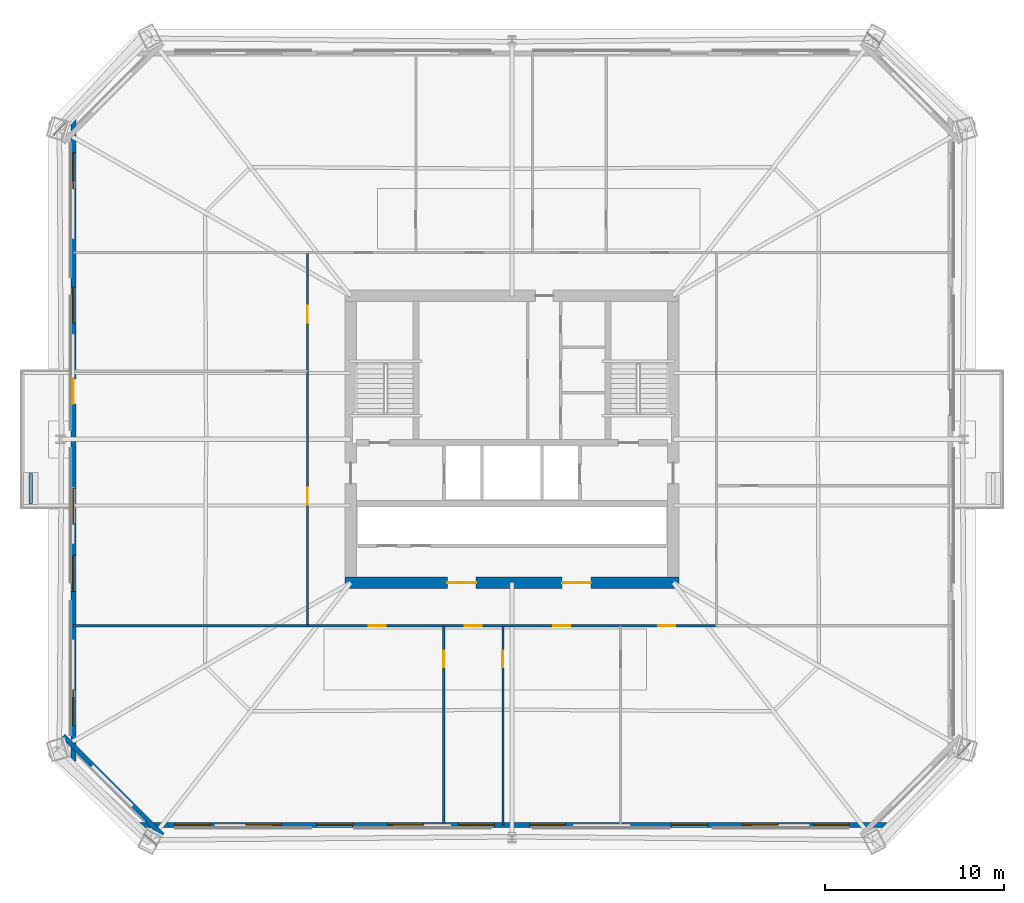
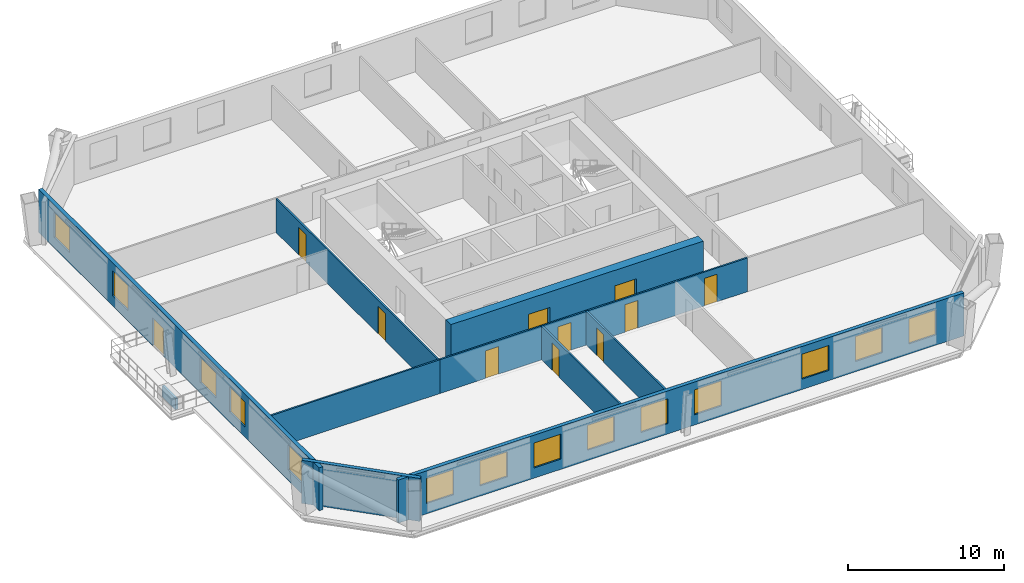
# One storey, part 5 of 11: 14 windows, 11 doors, 10 walls, 25 openings.
"""IFC4 building model written with IfcOpenShell, lengths in metres."""

from ifc_helpers import new_model, si_unit, direction, frame, frame_2d, origin, place, context, subcontext, project, spatial, rectangle, extrude, material, layer, layer_set, type_object, element, fill, save


model = new_model("IFC4")

# Units and contexts
model_context = context("Model", 3, precision=1e-05, world=origin(), true_north=direction((0.0, 1.0)))
body_context = subcontext(model_context, "Body", "Model", "MODEL_VIEW")
ifc_project = project(units=[si_unit("LENGTHUNIT", "METRE"), si_unit("AREAUNIT", "SQUARE_METRE"), si_unit("VOLUMEUNIT", "CUBIC_METRE"), si_unit("PLANEANGLEUNIT", "RADIAN"), si_unit("MASSUNIT", "GRAM", prefix="KILO")], contexts=[model_context])

# Site, building, storey
site_placement = place(None, origin())
site = spatial("IfcSite", under=ifc_project, at=site_placement, CompositionType="ELEMENT")
building_placement = place(site_placement, origin())
building = spatial("IfcBuilding", under=site, at=building_placement, Name="Caelvoria Tower", CompositionType="ELEMENT")
storey_placement = place(building_placement, frame((0.0, 0.0, 67.60009765625)))
storey = spatial("IfcBuildingStorey", under=building, at=storey_placement, Name="L17", CompositionType="ELEMENT", Elevation=67.60009765625)

# Wall
ifc_material_1 = material(Name="Bronze-Clad Concrete C40/50", Category="concrete")
ifc_layer_1 = layer(ifc_material_1, 0.179931640625, Name="Bronze-Clad Concrete C40/50")
ifc_layer_set_1 = layer_set([ifc_layer_1], Name="Architectural Planter Kerb Wall 180 - Bronze-Clad Concrete C40/50")
wall_type_1 = type_object("IfcWallType", Name="Architectural Planter Kerb Wall 180", PredefinedType="PARAPET", material=ifc_layer_set_1)
wall_1_placement = place(storey_placement, frame((19.14990234375, 28.39990234375, 0.0), z_axis=(0.0, 0.0, 1.0), x_axis=(0.0, 1.0, 0.0)))
element("IfcWall", 1, at=wall_1_placement, inside=storey, type_object=wall_type_1, Name="Tree Balcony Planter Kerb PLANTER TB-L17-W", PredefinedType="PARAPET", context=body_context, shape_type="SweptSolid", body=[
    extrude(rectangle(XDim=1.7001953125, YDim=0.179931640625, at=frame_2d((0.85009765625, 0.0))), origin(), (0.0, 0.0, 1.0), 0.8798828125),
])

# Wall, openings, windows
ifc_material_2 = material(Name="Precast Concrete C40/50 with Bronze Cladding", Category="concrete")
ifc_layer_2 = layer(ifc_material_2, 0.280029296875, Name="Precast Concrete C40/50 with Bronze Cladding")
ifc_layer_set_2 = layer_set([ifc_layer_2], Name="Exterior Precast Concrete C40/50 Bronze-Clad Facade Wall 280 - Precast Concrete C40/50 with Bronze Cladding")
wall_type_2 = type_object("IfcWallType", Name="Exterior Precast Concrete C40/50 Bronze-Clad Facade Wall 280", PredefinedType="STANDARD", material=ifc_layer_set_2)
wall_2_placement = place(storey_placement, frame((25.110107421875, 10.47998046875, 0.0), z_axis=(0.0, 0.0, 1.0), x_axis=(1.0, 0.0, 0.0)))
wall_2 = element("IfcWall", 2, at=wall_2_placement, inside=storey, type_object=wall_type_2, Name="Exterior Facade Wall L17-E0", PredefinedType="STANDARD", context=body_context, shape_type="SweptSolid", body=[
    extrude(rectangle(XDim=41.77978515625, YDim=0.280029296875, at=frame_2d((20.889892578125, 0.0))), origin(), (0.0, 0.0, 1.0), 3.35986328125),
])
opening_1_placement = place(wall_2_placement, frame((2.0791015625, 0.0, 0.800048828125)))
opening_1 = element("IfcOpeningElement", 3, at=opening_1_placement, cuts=wall_2, Name="Opening WN-01", PredefinedType="OPENING", context=body_context, shape_type="SweptSolid", body=[
    extrude(rectangle(XDim=2.0, YDim=1.949951171875, at=frame_2d((1.0, 0.97509765625))), frame((0.0, 0.14990234375, 0.0), z_axis=(0.0, -1.0, 0.0), x_axis=(1.0, 0.0, 0.0)), (0.0, 0.0, 1.0), 0.300048828125),
])
opening_2_placement = place(wall_2_placement, frame((6.037109375, 0.0, 0.800048828125)))
opening_2 = element("IfcOpeningElement", 4, at=opening_2_placement, cuts=wall_2, Name="Opening WN-01", PredefinedType="OPENING", context=body_context, shape_type="SweptSolid", body=[
    extrude(rectangle(XDim=2.0, YDim=1.949951171875, at=frame_2d((1.0, 0.97509765625))), frame((0.0, 0.14990234375, 0.0), z_axis=(0.0, -1.0, 0.0), x_axis=(1.0, 0.0, 0.0)), (0.0, 0.0, 1.0), 0.300048828125),
])
opening_3_placement = place(wall_2_placement, frame((9.9951171875, 0.0, 0.800048828125)))
opening_3 = element("IfcOpeningElement", 5, at=opening_3_placement, cuts=wall_2, Name="Opening WN-01", PredefinedType="OPENING", context=body_context, shape_type="SweptSolid", body=[
    extrude(rectangle(XDim=2.0, YDim=1.949951171875, at=frame_2d((1.0, 0.97509765625))), frame((0.0, 0.14990234375, 0.0), z_axis=(0.0, -1.0, 0.0), x_axis=(1.0, 0.0, 0.0)), (0.0, 0.0, 1.0), 0.300048828125),
])
opening_4_placement = place(wall_2_placement, frame((13.952880859375, 0.0, 0.800048828125)))
opening_4 = element("IfcOpeningElement", 6, at=opening_4_placement, cuts=wall_2, Name="Opening WN-01", PredefinedType="OPENING", context=body_context, shape_type="SweptSolid", body=[
    extrude(rectangle(XDim=2.0, YDim=1.949951171875, at=frame_2d((1.0, 0.97509765625))), frame((0.0, 0.14990234375, 0.0), z_axis=(0.0, -1.0, 0.0), x_axis=(1.0, 0.0, 0.0)), (0.0, 0.0, 1.0), 0.300048828125),
])
opening_5_placement = place(wall_2_placement, frame((17.910888671875, 0.0, 0.800048828125)))
opening_5 = element("IfcOpeningElement", 7, at=opening_5_placement, cuts=wall_2, Name="Opening WN-01", PredefinedType="OPENING", context=body_context, shape_type="SweptSolid", body=[
    extrude(rectangle(XDim=2.0, YDim=1.949951171875, at=frame_2d((1.0, 0.97509765625))), frame((0.0, 0.14990234375, 0.0), z_axis=(0.0, -1.0, 0.0), x_axis=(1.0, 0.0, 0.0)), (0.0, 0.0, 1.0), 0.300048828125),
])
opening_6_placement = place(wall_2_placement, frame((21.868896484375, 0.0, 0.800048828125)))
opening_6 = element("IfcOpeningElement", 8, at=opening_6_placement, cuts=wall_2, Name="Opening WN-01", PredefinedType="OPENING", context=body_context, shape_type="SweptSolid", body=[
    extrude(rectangle(XDim=2.0, YDim=1.949951171875, at=frame_2d((1.0, 0.97509765625))), frame((0.0, 0.14990234375, 0.0), z_axis=(0.0, -1.0, 0.0), x_axis=(1.0, 0.0, 0.0)), (0.0, 0.0, 1.0), 0.300048828125),
])
opening_7_placement = place(wall_2_placement, frame((29.784912109375, 0.0, 0.800048828125)))
opening_7 = element("IfcOpeningElement", 9, at=opening_7_placement, cuts=wall_2, Name="Opening WN-01", PredefinedType="OPENING", context=body_context, shape_type="SweptSolid", body=[
    extrude(rectangle(XDim=2.0, YDim=1.949951171875, at=frame_2d((1.0, 0.97509765625))), frame((0.0, 0.14990234375, 0.0), z_axis=(0.0, -1.0, 0.0), x_axis=(1.0, 0.0, 0.0)), (0.0, 0.0, 1.0), 0.300048828125),
])
opening_8_placement = place(wall_2_placement, frame((33.742919921875, 0.0, 0.800048828125)))
opening_8 = element("IfcOpeningElement", 10, at=opening_8_placement, cuts=wall_2, Name="Opening WN-01", PredefinedType="OPENING", context=body_context, shape_type="SweptSolid", body=[
    extrude(rectangle(XDim=2.0, YDim=1.949951171875, at=frame_2d((1.0, 0.97509765625))), frame((0.0, 0.14990234375, 0.0), z_axis=(0.0, -1.0, 0.0), x_axis=(1.0, 0.0, 0.0)), (0.0, 0.0, 1.0), 0.300048828125),
])
opening_9_placement = place(wall_2_placement, frame((37.700927734375, 0.0, 0.800048828125)))
opening_9 = element("IfcOpeningElement", 11, at=opening_9_placement, cuts=wall_2, Name="Opening WN-01", PredefinedType="OPENING", context=body_context, shape_type="SweptSolid", body=[
    extrude(rectangle(XDim=2.0, YDim=1.949951171875, at=frame_2d((1.0, 0.97509765625))), frame((0.0, 0.14990234375, 0.0), z_axis=(0.0, -1.0, 0.0), x_axis=(1.0, 0.0, 0.0)), (0.0, 0.0, 1.0), 0.300048828125),
])
ifc_material_3 = material(Name="Low-E Tinted Glass in Bronze Aluminium Frame", Category="aluminium")
window_type = type_object("IfcWindowType", Name="Tower Office Vision Window 2000x1950", PartitioningType="SINGLE_PANEL", PredefinedType="WINDOW", material=ifc_material_3)
window_1_placement = place(opening_1_placement, origin())
window_1 = element("IfcWindow", 12, at=window_1_placement, inside=storey, type_object=window_type, Name="Facade Window L17-E0-00", OverallHeight=1.949951171875, OverallWidth=2.0, PartitioningType="SINGLE_PANEL", PredefinedType="WINDOW", context=body_context, shape_type="SweptSolid", body=[
    extrude(rectangle(XDim=2.0, YDim=1.949951171875, at=frame_2d((1.0, 0.97509765625))), frame((0.0, 0.030029296875, 0.0), z_axis=(0.0, -1.0, 0.0), x_axis=(1.0, 0.0, 0.0)), (0.0, 0.0, 1.0), 0.06005859375),
])
fill(opening_1, window_1)
window_2_placement = place(opening_2_placement, origin())
window_2 = element("IfcWindow", 13, at=window_2_placement, inside=storey, type_object=window_type, Name="Facade Window L17-E0-01", OverallHeight=1.949951171875, OverallWidth=2.0, PartitioningType="SINGLE_PANEL", PredefinedType="WINDOW", context=body_context, shape_type="SweptSolid", body=[
    extrude(rectangle(XDim=2.0, YDim=1.949951171875, at=frame_2d((1.0, 0.97509765625))), frame((0.0, 0.030029296875, 0.0), z_axis=(0.0, -1.0, 0.0), x_axis=(1.0, 0.0, 0.0)), (0.0, 0.0, 1.0), 0.06005859375),
])
fill(opening_2, window_2)
window_3_placement = place(opening_3_placement, origin())
window_3 = element("IfcWindow", 14, at=window_3_placement, inside=storey, type_object=window_type, Name="Facade Window L17-E0-02", OverallHeight=1.949951171875, OverallWidth=2.0, PartitioningType="SINGLE_PANEL", PredefinedType="WINDOW", context=body_context, shape_type="SweptSolid", body=[
    extrude(rectangle(XDim=2.0, YDim=1.949951171875, at=frame_2d((1.0, 0.97509765625))), frame((0.0, 0.030029296875, 0.0), z_axis=(0.0, -1.0, 0.0), x_axis=(1.0, 0.0, 0.0)), (0.0, 0.0, 1.0), 0.06005859375),
])
fill(opening_3, window_3)
window_4_placement = place(opening_4_placement, origin())
window_4 = element("IfcWindow", 15, at=window_4_placement, inside=storey, type_object=window_type, Name="Facade Window L17-E0-03", OverallHeight=1.949951171875, OverallWidth=2.0, PartitioningType="SINGLE_PANEL", PredefinedType="WINDOW", context=body_context, shape_type="SweptSolid", body=[
    extrude(rectangle(XDim=2.0, YDim=1.949951171875, at=frame_2d((1.0, 0.97509765625))), frame((0.0, 0.030029296875, 0.0), z_axis=(0.0, -1.0, 0.0), x_axis=(1.0, 0.0, 0.0)), (0.0, 0.0, 1.0), 0.06005859375),
])
fill(opening_4, window_4)
window_5_placement = place(opening_5_placement, origin())
window_5 = element("IfcWindow", 16, at=window_5_placement, inside=storey, type_object=window_type, Name="Facade Window L17-E0-04", OverallHeight=1.949951171875, OverallWidth=2.0, PartitioningType="SINGLE_PANEL", PredefinedType="WINDOW", context=body_context, shape_type="SweptSolid", body=[
    extrude(rectangle(XDim=2.0, YDim=1.949951171875, at=frame_2d((1.0, 0.97509765625))), frame((0.0, 0.030029296875, 0.0), z_axis=(0.0, -1.0, 0.0), x_axis=(1.0, 0.0, 0.0)), (0.0, 0.0, 1.0), 0.06005859375),
])
fill(opening_5, window_5)
window_6_placement = place(opening_6_placement, origin())
window_6 = element("IfcWindow", 17, at=window_6_placement, inside=storey, type_object=window_type, Name="Facade Window L17-E0-05", OverallHeight=1.949951171875, OverallWidth=2.0, PartitioningType="SINGLE_PANEL", PredefinedType="WINDOW", context=body_context, shape_type="SweptSolid", body=[
    extrude(rectangle(XDim=2.0, YDim=1.949951171875, at=frame_2d((1.0, 0.97509765625))), frame((0.0, 0.030029296875, 0.0), z_axis=(0.0, -1.0, 0.0), x_axis=(1.0, 0.0, 0.0)), (0.0, 0.0, 1.0), 0.06005859375),
])
fill(opening_6, window_6)
window_7_placement = place(opening_7_placement, origin())
window_7 = element("IfcWindow", 18, at=window_7_placement, inside=storey, type_object=window_type, Name="Facade Window L17-E0-07", OverallHeight=1.949951171875, OverallWidth=2.0, PartitioningType="SINGLE_PANEL", PredefinedType="WINDOW", context=body_context, shape_type="SweptSolid", body=[
    extrude(rectangle(XDim=2.0, YDim=1.949951171875, at=frame_2d((1.0, 0.97509765625))), frame((0.0, 0.030029296875, 0.0), z_axis=(0.0, -1.0, 0.0), x_axis=(1.0, 0.0, 0.0)), (0.0, 0.0, 1.0), 0.06005859375),
])
fill(opening_7, window_7)
window_8_placement = place(opening_8_placement, origin())
window_8 = element("IfcWindow", 19, at=window_8_placement, inside=storey, type_object=window_type, Name="Facade Window L17-E0-08", OverallHeight=1.949951171875, OverallWidth=2.0, PartitioningType="SINGLE_PANEL", PredefinedType="WINDOW", context=body_context, shape_type="SweptSolid", body=[
    extrude(rectangle(XDim=2.0, YDim=1.949951171875, at=frame_2d((1.0, 0.97509765625))), frame((0.0, 0.030029296875, 0.0), z_axis=(0.0, -1.0, 0.0), x_axis=(1.0, 0.0, 0.0)), (0.0, 0.0, 1.0), 0.06005859375),
])
fill(opening_8, window_8)
window_9_placement = place(opening_9_placement, origin())
window_9 = element("IfcWindow", 20, at=window_9_placement, inside=storey, type_object=window_type, Name="Facade Window L17-E0-09", OverallHeight=1.949951171875, OverallWidth=2.0, PartitioningType="SINGLE_PANEL", PredefinedType="WINDOW", context=body_context, shape_type="SweptSolid", body=[
    extrude(rectangle(XDim=2.0, YDim=1.949951171875, at=frame_2d((1.0, 0.97509765625))), frame((0.0, 0.030029296875, 0.0), z_axis=(0.0, -1.0, 0.0), x_axis=(1.0, 0.0, 0.0)), (0.0, 0.0, 1.0), 0.06005859375),
])
fill(opening_9, window_9)

# Wall, openings, windows, door
wall_3_placement = place(storey_placement, frame((21.530029296875, 49.93994140625, 0.0), z_axis=(0.0, 0.0, 1.0), x_axis=(0.0, -1.0, 0.0)))
wall_3 = element("IfcWall", 21, at=wall_3_placement, inside=storey, type_object=wall_type_2, Name="Exterior Facade Wall L17-E6", PredefinedType="STANDARD", context=body_context, shape_type="SweptSolid", body=[
    extrude(rectangle(XDim=35.8798828125, YDim=0.280029296875, at=frame_2d((17.93994140625, 0.0))), origin(), (0.0, 0.0, 1.0), 3.35986328125),
])
opening_10_placement = place(wall_3_placement, frame((14.570068359375, 0.0, 0.0)))
opening_10 = element("IfcOpeningElement", 22, at=opening_10_placement, cuts=wall_3, Name="Opening ED-04", PredefinedType="OPENING", context=body_context, shape_type="SweptSolid", body=[
    extrude(rectangle(XDim=1.39990234375, YDim=2.14990234375, at=frame_2d((0.699951171875, 1.074951171875))), frame((0.0, 0.14990234375, 0.0), z_axis=(0.0, -1.0, 0.0), x_axis=(1.0, 0.0, 0.0)), (0.0, 0.0, 1.0), 0.300048828125),
])
opening_11_placement = place(wall_3_placement, frame((1.97119140625, 0.0, 0.800048828125)))
opening_11 = element("IfcOpeningElement", 23, at=opening_11_placement, cuts=wall_3, Name="Opening WN-01", PredefinedType="OPENING", context=body_context, shape_type="SweptSolid", body=[
    extrude(rectangle(XDim=2.0, YDim=1.949951171875, at=frame_2d((1.0, 0.97509765625))), frame((0.0, 0.14990234375, 0.0), z_axis=(0.0, -1.0, 0.0), x_axis=(1.0, 0.0, 0.0)), (0.0, 0.0, 1.0), 0.300048828125),
])
opening_12_placement = place(wall_3_placement, frame((9.45556640625, 0.0, 0.800048828125)))
opening_12 = element("IfcOpeningElement", 24, at=opening_12_placement, cuts=wall_3, Name="Opening WN-01", PredefinedType="OPENING", context=body_context, shape_type="SweptSolid", body=[
    extrude(rectangle(XDim=2.0, YDim=1.949951171875, at=frame_2d((1.0, 0.97509765625))), frame((0.0, 0.14990234375, 0.0), z_axis=(0.0, -1.0, 0.0), x_axis=(1.0, 0.0, 0.0)), (0.0, 0.0, 1.0), 0.300048828125),
])
opening_13_placement = place(wall_3_placement, frame((20.68212890625, 0.0, 0.800048828125)))
opening_13 = element("IfcOpeningElement", 25, at=opening_13_placement, cuts=wall_3, Name="Opening WN-01", PredefinedType="OPENING", context=body_context, shape_type="SweptSolid", body=[
    extrude(rectangle(XDim=2.0, YDim=1.949951171875, at=frame_2d((1.0, 0.97509765625))), frame((0.0, 0.14990234375, 0.0), z_axis=(0.0, -1.0, 0.0), x_axis=(1.0, 0.0, 0.0)), (0.0, 0.0, 1.0), 0.300048828125),
])
opening_14_placement = place(wall_3_placement, frame((24.42431640625, 0.0, 0.800048828125)))
opening_14 = element("IfcOpeningElement", 26, at=opening_14_placement, cuts=wall_3, Name="Opening WN-01", PredefinedType="OPENING", context=body_context, shape_type="SweptSolid", body=[
    extrude(rectangle(XDim=2.0, YDim=1.949951171875, at=frame_2d((1.0, 0.97509765625))), frame((0.0, 0.14990234375, 0.0), z_axis=(0.0, -1.0, 0.0), x_axis=(1.0, 0.0, 0.0)), (0.0, 0.0, 1.0), 0.300048828125),
])
opening_15_placement = place(wall_3_placement, frame((31.908935546875, 0.0, 0.800048828125)))
opening_15 = element("IfcOpeningElement", 27, at=opening_15_placement, cuts=wall_3, Name="Opening WN-01", PredefinedType="OPENING", context=body_context, shape_type="SweptSolid", body=[
    extrude(rectangle(XDim=2.0, YDim=1.949951171875, at=frame_2d((1.0, 0.97509765625))), frame((0.0, 0.14990234375, 0.0), z_axis=(0.0, -1.0, 0.0), x_axis=(1.0, 0.0, 0.0)), (0.0, 0.0, 1.0), 0.300048828125),
])
window_10_placement = place(opening_11_placement, origin())
window_10 = element("IfcWindow", 28, at=window_10_placement, inside=storey, type_object=window_type, Name="Facade Window L17-E6-00", OverallHeight=1.949951171875, OverallWidth=2.0, PartitioningType="SINGLE_PANEL", PredefinedType="WINDOW", context=body_context, shape_type="SweptSolid", body=[
    extrude(rectangle(XDim=2.0, YDim=1.949951171875, at=frame_2d((1.0, 0.97509765625))), frame((0.0, 0.030029296875, 0.0), z_axis=(0.0, -1.0, 0.0), x_axis=(1.0, 0.0, 0.0)), (0.0, 0.0, 1.0), 0.06005859375),
])
fill(opening_11, window_10)
window_11_placement = place(opening_12_placement, origin())
window_11 = element("IfcWindow", 29, at=window_11_placement, inside=storey, type_object=window_type, Name="Facade Window L17-E6-02", OverallHeight=1.949951171875, OverallWidth=2.0, PartitioningType="SINGLE_PANEL", PredefinedType="WINDOW", context=body_context, shape_type="SweptSolid", body=[
    extrude(rectangle(XDim=2.0, YDim=1.949951171875, at=frame_2d((1.0, 0.97509765625))), frame((0.0, 0.030029296875, 0.0), z_axis=(0.0, -1.0, 0.0), x_axis=(1.0, 0.0, 0.0)), (0.0, 0.0, 1.0), 0.06005859375),
])
fill(opening_12, window_11)
window_12_placement = place(opening_13_placement, origin())
window_12 = element("IfcWindow", 30, at=window_12_placement, inside=storey, type_object=window_type, Name="Facade Window L17-E6-05", OverallHeight=1.949951171875, OverallWidth=2.0, PartitioningType="SINGLE_PANEL", PredefinedType="WINDOW", context=body_context, shape_type="SweptSolid", body=[
    extrude(rectangle(XDim=2.0, YDim=1.949951171875, at=frame_2d((1.0, 0.97509765625))), frame((0.0, 0.030029296875, 0.0), z_axis=(0.0, -1.0, 0.0), x_axis=(1.0, 0.0, 0.0)), (0.0, 0.0, 1.0), 0.06005859375),
])
fill(opening_13, window_12)
window_13_placement = place(opening_14_placement, origin())
window_13 = element("IfcWindow", 31, at=window_13_placement, inside=storey, type_object=window_type, Name="Facade Window L17-E6-06", OverallHeight=1.949951171875, OverallWidth=2.0, PartitioningType="SINGLE_PANEL", PredefinedType="WINDOW", context=body_context, shape_type="SweptSolid", body=[
    extrude(rectangle(XDim=2.0, YDim=1.949951171875, at=frame_2d((1.0, 0.97509765625))), frame((0.0, 0.030029296875, 0.0), z_axis=(0.0, -1.0, 0.0), x_axis=(1.0, 0.0, 0.0)), (0.0, 0.0, 1.0), 0.06005859375),
])
fill(opening_14, window_13)
window_14_placement = place(opening_15_placement, origin())
window_14 = element("IfcWindow", 32, at=window_14_placement, inside=storey, type_object=window_type, Name="Facade Window L17-E6-08", OverallHeight=1.949951171875, OverallWidth=2.0, PartitioningType="SINGLE_PANEL", PredefinedType="WINDOW", context=body_context, shape_type="SweptSolid", body=[
    extrude(rectangle(XDim=2.0, YDim=1.949951171875, at=frame_2d((1.0, 0.97509765625))), frame((0.0, 0.030029296875, 0.0), z_axis=(0.0, -1.0, 0.0), x_axis=(1.0, 0.0, 0.0)), (0.0, 0.0, 1.0), 0.06005859375),
])
fill(opening_15, window_14)
ifc_material_4 = material(Name="Anodised Bronze Aluminium and Laminated Glass", Category="aluminium")
door_type_1 = type_object("IfcDoorType", Name="Tree Balcony Glazed Door 1400x2150", OperationType="NOTDEFINED", PredefinedType="DOOR", material=ifc_material_4)
door_1_placement = place(opening_10_placement, origin())
door_1 = element("IfcDoor", 33, at=door_1_placement, inside=storey, type_object=door_type_1, Name="Tree Balcony Door L17-W", OperationType="SINGLE_SWING_LEFT", OverallHeight=2.14990234375, OverallWidth=1.39990234375, PredefinedType="DOOR", context=body_context, shape_type="SweptSolid", body=[
    extrude(rectangle(XDim=1.39990234375, YDim=2.14990234375, at=frame_2d((0.699951171875, 1.074951171875))), frame((0.0, 0.02490234375, 0.0), z_axis=(0.0, -1.0, 0.0), x_axis=(1.0, 0.0, 0.0)), (0.0, 0.0, 1.0), 0.050048828125),
])
fill(opening_10, door_1)

# Wall
wall_4_placement = place(storey_placement, frame((20.9560546875, 15.445556640625, 0.0), z_axis=(0.0, 0.0, 1.0), x_axis=(0.707106781187, -0.707106781187, 0.0)))
element("IfcWall", 34, at=wall_4_placement, inside=storey, type_object=wall_type_2, Name="Exterior Facade Wall L17-E7", PredefinedType="STANDARD", context=body_context, shape_type="SweptSolid", body=[
    extrude(rectangle(XDim=7.834228515625, YDim=0.280029296875, at=frame_2d((3.9169921875, 0.0))), origin(), (0.0, 0.0, 1.0), 3.35986328125),
])

# Wall, openings, doors
ifc_material_5 = material(Name="Concrete C60/75", Category="concrete")
ifc_layer_3 = layer(ifc_material_5, 0.64990234375, Name="Concrete C60/75")
ifc_layer_set_3 = layer_set([ifc_layer_3], Name="Lower Core Shear Wall 650 - Concrete C60/75")
wall_type_3 = type_object("IfcWallType", Name="Lower Core Shear Wall 650", PredefinedType="SHEAR", material=ifc_layer_set_3)
wall_5_placement = place(storey_placement, frame((36.675048828125, 24.0, 0.0), z_axis=(0.0, 0.0, 1.0), x_axis=(1.0, 0.0, 0.0)))
wall_5 = element("IfcWall", 35, at=wall_5_placement, inside=storey, type_object=wall_type_3, Name="Core Shear Wall L17 S", PredefinedType="SHEAR", context=body_context, shape_type="SweptSolid", body=[
    extrude(rectangle(XDim=18.64990234375, YDim=0.64990234375, at=frame_2d((9.324951171875, 0.0))), origin(), (0.0, 0.0, 1.0), 3.35986328125),
])
opening_16_placement = place(wall_5_placement, frame((5.72509765625, 0.0, 0.0)))
opening_16 = element("IfcOpeningElement", 36, at=opening_16_placement, cuts=wall_5, Name="Opening ID-08", PredefinedType="OPENING", context=body_context, shape_type="SweptSolid", body=[
    extrude(rectangle(XDim=1.60009765625, YDim=2.14990234375, at=frame_2d((0.800048828125, 1.074951171875))), frame((0.0, 0.3349609375, 0.0), z_axis=(0.0, -1.0, 0.0), x_axis=(1.0, 0.0, 0.0)), (0.0, 0.0, 1.0), 0.669921875),
])
opening_17_placement = place(wall_5_placement, frame((12.125, 0.0, 0.0)))
opening_17 = element("IfcOpeningElement", 37, at=opening_17_placement, cuts=wall_5, Name="Opening ID-08", PredefinedType="OPENING", context=body_context, shape_type="SweptSolid", body=[
    extrude(rectangle(XDim=1.60009765625, YDim=2.14990234375, at=frame_2d((0.800048828125, 1.074951171875))), frame((0.0, 0.3349609375, 0.0), z_axis=(0.0, -1.0, 0.0), x_axis=(1.0, 0.0, 0.0)), (0.0, 0.0, 1.0), 0.669921875),
])
ifc_material_6 = material(Name="Bronze-Framed Fire-Rated Glazed Double Door", Category="aluminium")
door_type_2 = type_object("IfcDoorType", Name="Double Lobby Glazed Door 1600x2200", OperationType="NOTDEFINED", PredefinedType="DOOR", material=ifc_material_6)
door_2_placement = place(opening_16_placement, origin())
door_2 = element("IfcDoor", 38, at=door_2_placement, inside=storey, type_object=door_type_2, Name="Core Door DR-L17-LLOB-S1", OperationType="DOUBLE_DOOR_SINGLE_SWING", OverallHeight=2.14990234375, OverallWidth=1.60009765625, PredefinedType="DOOR", context=body_context, shape_type="SweptSolid", body=[
    extrude(rectangle(XDim=1.60009765625, YDim=2.14990234375, at=frame_2d((0.800048828125, 1.074951171875))), frame((0.0, 0.02490234375, 0.0), z_axis=(0.0, -1.0, 0.0), x_axis=(1.0, 0.0, 0.0)), (0.0, 0.0, 1.0), 0.050048828125),
])
fill(opening_16, door_2)
door_3_placement = place(opening_17_placement, origin())
door_3 = element("IfcDoor", 39, at=door_3_placement, inside=storey, type_object=door_type_2, Name="Core Door DR-L17-LLOB-S2", OperationType="DOUBLE_DOOR_SINGLE_SWING", OverallHeight=2.14990234375, OverallWidth=1.60009765625, PredefinedType="DOOR", context=body_context, shape_type="SweptSolid", body=[
    extrude(rectangle(XDim=1.60009765625, YDim=2.14990234375, at=frame_2d((0.800048828125, 1.074951171875))), frame((0.0, 0.02490234375, 0.0), z_axis=(0.0, -1.0, 0.0), x_axis=(1.0, 0.0, 0.0)), (0.0, 0.0, 1.0), 0.050048828125),
])
fill(opening_17, door_3)

# Wall, opening, door
ifc_material_7 = material(Name="Acoustic Gypsum Board on Light-Gauge Stud", Category="gypsum")
ifc_layer_4 = layer(ifc_material_7, 0.1201171875, Name="Acoustic Gypsum Board on Light-Gauge Stud")
ifc_layer_set_4 = layer_set([ifc_layer_4], Name="Tenant Suite Acoustic Partition Wall 120 - Acoustic Gypsum Board on Light-Gauge Stud")
wall_type_4 = type_object("IfcWallType", Name="Tenant Suite Acoustic Partition Wall 120", PredefinedType="PARTITIONING", material=ifc_layer_set_4)
wall_6_placement = place(storey_placement, frame((42.190673828125, 21.590087890625, 0.0), z_axis=(0.0, 0.0, 1.0), x_axis=(0.0, -1.0, 0.0)))
wall_6 = element("IfcWall", 40, at=wall_6_placement, inside=storey, type_object=wall_type_4, Name="Interior Partition IW-L17-SD-00-0", PredefinedType="PARTITIONING", context=body_context, shape_type="SweptSolid", body=[
    extrude(rectangle(XDim=11.110107421875, YDim=0.1201171875, at=frame_2d((5.55517578125, 0.0))), origin(), (0.0, 0.0, 1.0), 2.639892578125),
])
opening_18_placement = place(wall_6_placement, frame((1.39990234375, 0.0, 0.0)))
opening_18 = element("IfcOpeningElement", 41, at=opening_18_placement, cuts=wall_6, Name="Opening ID-06", PredefinedType="OPENING", context=body_context, shape_type="SweptSolid", body=[
    extrude(rectangle(XDim=0.89990234375, YDim=2.14990234375, at=frame_2d((0.449951171875, 1.074951171875))), frame((0.0, 0.070068359375, 0.0), z_axis=(0.0, -1.0, 0.0), x_axis=(1.0, 0.0, 0.0)), (0.0, 0.0, 1.0), 0.14013671875),
])
ifc_material_8 = material(Name="Engineered Andean Oak Veneer Door", Category="wood")
door_type_3 = type_object("IfcDoorType", Name="Interior Timber Door 900x2150", OperationType="NOTDEFINED", PredefinedType="DOOR", material=ifc_material_8)
door_4_placement = place(opening_18_placement, origin())
door_4 = element("IfcDoor", 42, at=door_4_placement, inside=storey, type_object=door_type_3, Name="Interior Door DR-L17-SM-00-0", OperationType="SINGLE_SWING_RIGHT", OverallHeight=2.14990234375, OverallWidth=0.89990234375, PredefinedType="DOOR", context=body_context, shape_type="SweptSolid", body=[
    extrude(rectangle(XDim=0.89990234375, YDim=2.14990234375, at=frame_2d((0.449951171875, 1.074951171875))), frame((0.0, 0.02490234375, 0.0), z_axis=(0.0, -1.0, 0.0), x_axis=(1.0, 0.0, 0.0)), (0.0, 0.0, 1.0), 0.050048828125),
])
fill(opening_18, door_4)

wall_7_placement = place(storey_placement, frame((45.494384765625, 21.590087890625, 0.0), z_axis=(0.0, 0.0, 1.0), x_axis=(0.0, -1.0, 0.0)))
wall_7 = element("IfcWall", 43, at=wall_7_placement, inside=storey, type_object=wall_type_4, Name="Interior Partition IW-L17-SD-01-0", PredefinedType="PARTITIONING", context=body_context, shape_type="SweptSolid", body=[
    extrude(rectangle(XDim=11.110107421875, YDim=0.1201171875, at=frame_2d((5.55517578125, 0.0))), origin(), (0.0, 0.0, 1.0), 2.639892578125),
])
opening_19_placement = place(wall_7_placement, frame((1.39990234375, 0.0, 0.0)))
opening_19 = element("IfcOpeningElement", 44, at=opening_19_placement, cuts=wall_7, Name="Opening ID-06", PredefinedType="OPENING", context=body_context, shape_type="SweptSolid", body=[
    extrude(rectangle(XDim=0.89990234375, YDim=2.14990234375, at=frame_2d((0.449951171875, 1.074951171875))), frame((0.0, 0.070068359375, 0.0), z_axis=(0.0, -1.0, 0.0), x_axis=(1.0, 0.0, 0.0)), (0.0, 0.0, 1.0), 0.14013671875),
])
door_5_placement = place(opening_19_placement, origin())
door_5 = element("IfcDoor", 45, at=door_5_placement, inside=storey, type_object=door_type_3, Name="Interior Door DR-L17-SM-01-0", OperationType="SINGLE_SWING_LEFT", OverallHeight=2.14990234375, OverallWidth=0.89990234375, PredefinedType="DOOR", context=body_context, shape_type="SweptSolid", body=[
    extrude(rectangle(XDim=0.89990234375, YDim=2.14990234375, at=frame_2d((0.449951171875, 1.074951171875))), frame((0.0, 0.02490234375, 0.0), z_axis=(0.0, -1.0, 0.0), x_axis=(1.0, 0.0, 0.0)), (0.0, 0.0, 1.0), 0.050048828125),
])
fill(opening_19, door_5)

# Wall, openings, doors
wall_8_placement = place(storey_placement, frame((34.64990234375, 21.590087890625, 0.0), z_axis=(0.0, 0.0, 1.0), x_axis=(1.0, 0.0, 0.0)))
wall_8 = element("IfcWall", 46, at=wall_8_placement, inside=storey, type_object=wall_type_4, Name="Interior Partition IW-L17-SCW-0", PredefinedType="PARTITIONING", context=body_context, shape_type="SweptSolid", body=[
    extrude(rectangle(XDim=22.7001953125, YDim=0.1201171875, at=frame_2d((11.35009765625, 0.0))), origin(), (0.0, 0.0, 1.0), 2.639892578125),
])
opening_20_placement = place(wall_8_placement, frame((3.365234375, 0.0, 0.0)))
opening_20 = element("IfcOpeningElement", 47, at=opening_20_placement, cuts=wall_8, Name="Opening ID-05", PredefinedType="OPENING", context=body_context, shape_type="SweptSolid", body=[
    extrude(rectangle(XDim=0.949951171875, YDim=2.14990234375, at=frame_2d((0.47509765625, 1.074951171875))), frame((0.0, 0.070068359375, 0.0), z_axis=(0.0, -1.0, 0.0), x_axis=(1.0, 0.0, 0.0)), (0.0, 0.0, 1.0), 0.14013671875),
])
opening_21_placement = place(wall_8_placement, frame((8.717529296875, 0.0, 0.0)))
opening_21 = element("IfcOpeningElement", 48, at=opening_21_placement, cuts=wall_8, Name="Opening ID-05", PredefinedType="OPENING", context=body_context, shape_type="SweptSolid", body=[
    extrude(rectangle(XDim=0.949951171875, YDim=2.14990234375, at=frame_2d((0.47509765625, 1.074951171875))), frame((0.0, 0.070068359375, 0.0), z_axis=(0.0, -1.0, 0.0), x_axis=(1.0, 0.0, 0.0)), (0.0, 0.0, 1.0), 0.14013671875),
])
opening_22_placement = place(wall_8_placement, frame((13.651123046875, 0.0, 0.0)))
opening_22 = element("IfcOpeningElement", 49, at=opening_22_placement, cuts=wall_8, Name="Opening ID-05", PredefinedType="OPENING", context=body_context, shape_type="SweptSolid", body=[
    extrude(rectangle(XDim=0.949951171875, YDim=2.14990234375, at=frame_2d((0.47509765625, 1.074951171875))), frame((0.0, 0.070068359375, 0.0), z_axis=(0.0, -1.0, 0.0), x_axis=(1.0, 0.0, 0.0)), (0.0, 0.0, 1.0), 0.14013671875),
])
opening_23_placement = place(wall_8_placement, frame((19.509033203125, 0.0, 0.0)))
opening_23 = element("IfcOpeningElement", 50, at=opening_23_placement, cuts=wall_8, Name="Opening ID-05", PredefinedType="OPENING", context=body_context, shape_type="SweptSolid", body=[
    extrude(rectangle(XDim=0.949951171875, YDim=2.14990234375, at=frame_2d((0.47509765625, 1.074951171875))), frame((0.0, 0.070068359375, 0.0), z_axis=(0.0, -1.0, 0.0), x_axis=(1.0, 0.0, 0.0)), (0.0, 0.0, 1.0), 0.14013671875),
])
door_type_4 = type_object("IfcDoorType", Name="Interior Timber Door 950x2150", OperationType="NOTDEFINED", PredefinedType="DOOR", material=ifc_material_8)
door_6_placement = place(opening_20_placement, origin())
door_6 = element("IfcDoor", 51, at=door_6_placement, inside=storey, type_object=door_type_4, Name="Interior Door DR-L17-SC-00-0", OperationType="SINGLE_SWING_RIGHT", OverallHeight=2.14990234375, OverallWidth=0.949951171875, PredefinedType="DOOR", context=body_context, shape_type="SweptSolid", body=[
    extrude(rectangle(XDim=0.949951171875, YDim=2.14990234375, at=frame_2d((0.47509765625, 1.074951171875))), frame((0.0, 0.02490234375, 0.0), z_axis=(0.0, -1.0, 0.0), x_axis=(1.0, 0.0, 0.0)), (0.0, 0.0, 1.0), 0.050048828125),
])
fill(opening_20, door_6)
door_7_placement = place(opening_21_placement, origin())
door_7 = element("IfcDoor", 52, at=door_7_placement, inside=storey, type_object=door_type_4, Name="Interior Door DR-L17-SC-01-0", OperationType="SINGLE_SWING_LEFT", OverallHeight=2.14990234375, OverallWidth=0.949951171875, PredefinedType="DOOR", context=body_context, shape_type="SweptSolid", body=[
    extrude(rectangle(XDim=0.949951171875, YDim=2.14990234375, at=frame_2d((0.47509765625, 1.074951171875))), frame((0.0, 0.02490234375, 0.0), z_axis=(0.0, -1.0, 0.0), x_axis=(1.0, 0.0, 0.0)), (0.0, 0.0, 1.0), 0.050048828125),
])
fill(opening_21, door_7)
door_8_placement = place(opening_22_placement, origin())
door_8 = element("IfcDoor", 53, at=door_8_placement, inside=storey, type_object=door_type_4, Name="Interior Door DR-L17-SC-02-0", OperationType="SINGLE_SWING_RIGHT", OverallHeight=2.14990234375, OverallWidth=0.949951171875, PredefinedType="DOOR", context=body_context, shape_type="SweptSolid", body=[
    extrude(rectangle(XDim=0.949951171875, YDim=2.14990234375, at=frame_2d((0.47509765625, 1.074951171875))), frame((0.0, 0.02490234375, 0.0), z_axis=(0.0, -1.0, 0.0), x_axis=(1.0, 0.0, 0.0)), (0.0, 0.0, 1.0), 0.050048828125),
])
fill(opening_22, door_8)
door_9_placement = place(opening_23_placement, origin())
door_9 = element("IfcDoor", 54, at=door_9_placement, inside=storey, type_object=door_type_4, Name="Interior Door DR-L17-SC-03-0", OperationType="SINGLE_SWING_LEFT", OverallHeight=2.14990234375, OverallWidth=0.949951171875, PredefinedType="DOOR", context=body_context, shape_type="SweptSolid", body=[
    extrude(rectangle(XDim=0.949951171875, YDim=2.14990234375, at=frame_2d((0.47509765625, 1.074951171875))), frame((0.0, 0.02490234375, 0.0), z_axis=(0.0, -1.0, 0.0), x_axis=(1.0, 0.0, 0.0)), (0.0, 0.0, 1.0), 0.050048828125),
])
fill(opening_23, door_9)

wall_9_placement = place(storey_placement, frame((34.590087890625, 21.64990234375, 0.0), z_axis=(0.0, 0.0, 1.0), x_axis=(0.0, 1.0, 0.0)))
wall_9 = element("IfcWall", 55, at=wall_9_placement, inside=storey, type_object=wall_type_4, Name="Interior Partition IW-L17-WCW-0", PredefinedType="PARTITIONING", context=body_context, shape_type="SweptSolid", body=[
    extrude(rectangle(XDim=20.7001953125, YDim=0.1201171875, at=frame_2d((10.35009765625, 0.0))), origin(), (0.0, 0.0, 1.0), 2.639892578125),
])
opening_24_placement = place(wall_9_placement, frame((6.695556640625, 0.0, 0.0)))
opening_24 = element("IfcOpeningElement", 56, at=opening_24_placement, cuts=wall_9, Name="Opening ID-05", PredefinedType="OPENING", context=body_context, shape_type="SweptSolid", body=[
    extrude(rectangle(XDim=0.949951171875, YDim=2.14990234375, at=frame_2d((0.47509765625, 1.074951171875))), frame((0.0, 0.070068359375, 0.0), z_axis=(0.0, -1.0, 0.0), x_axis=(1.0, 0.0, 0.0)), (0.0, 0.0, 1.0), 0.14013671875),
])
opening_25_placement = place(wall_9_placement, frame((16.845703125, 0.0, 0.0)))
opening_25 = element("IfcOpeningElement", 57, at=opening_25_placement, cuts=wall_9, Name="Opening ID-05", PredefinedType="OPENING", context=body_context, shape_type="SweptSolid", body=[
    extrude(rectangle(XDim=0.949951171875, YDim=2.14990234375, at=frame_2d((0.47509765625, 1.074951171875))), frame((0.0, 0.070068359375, 0.0), z_axis=(0.0, -1.0, 0.0), x_axis=(1.0, 0.0, 0.0)), (0.0, 0.0, 1.0), 0.14013671875),
])
door_10_placement = place(opening_24_placement, origin())
door_10 = element("IfcDoor", 58, at=door_10_placement, inside=storey, type_object=door_type_4, Name="Interior Door DR-L17-WC-00-0", OperationType="SINGLE_SWING_RIGHT", OverallHeight=2.14990234375, OverallWidth=0.949951171875, PredefinedType="DOOR", context=body_context, shape_type="SweptSolid", body=[
    extrude(rectangle(XDim=0.949951171875, YDim=2.14990234375, at=frame_2d((0.47509765625, 1.074951171875))), frame((0.0, 0.02490234375, 0.0), z_axis=(0.0, -1.0, 0.0), x_axis=(1.0, 0.0, 0.0)), (0.0, 0.0, 1.0), 0.050048828125),
])
fill(opening_24, door_10)
door_11_placement = place(opening_25_placement, origin())
door_11 = element("IfcDoor", 59, at=door_11_placement, inside=storey, type_object=door_type_4, Name="Interior Door DR-L17-WC-01-0", OperationType="SINGLE_SWING_LEFT", OverallHeight=2.14990234375, OverallWidth=0.949951171875, PredefinedType="DOOR", context=body_context, shape_type="SweptSolid", body=[
    extrude(rectangle(XDim=0.949951171875, YDim=2.14990234375, at=frame_2d((0.47509765625, 1.074951171875))), frame((0.0, 0.02490234375, 0.0), z_axis=(0.0, -1.0, 0.0), x_axis=(1.0, 0.0, 0.0)), (0.0, 0.0, 1.0), 0.050048828125),
])
fill(opening_25, door_11)

# Wall
wall_10_placement = place(storey_placement, frame((34.64990234375, 21.590087890625, 0.0), z_axis=(0.0, 0.0, 1.0), x_axis=(-1.0, 0.0, 0.0)))
element("IfcWall", 60, at=wall_10_placement, inside=storey, type_object=wall_type_4, Name="Interior Partition IW-L17-BSW-0", PredefinedType="PARTITIONING", context=body_context, shape_type="SweptSolid", body=[
    extrude(rectangle(XDim=13.119873046875, YDim=0.1201171875, at=frame_2d((6.56005859375, 0.0))), origin(), (0.0, 0.0, 1.0), 2.639892578125),
])

save(model, "model.ifc")
